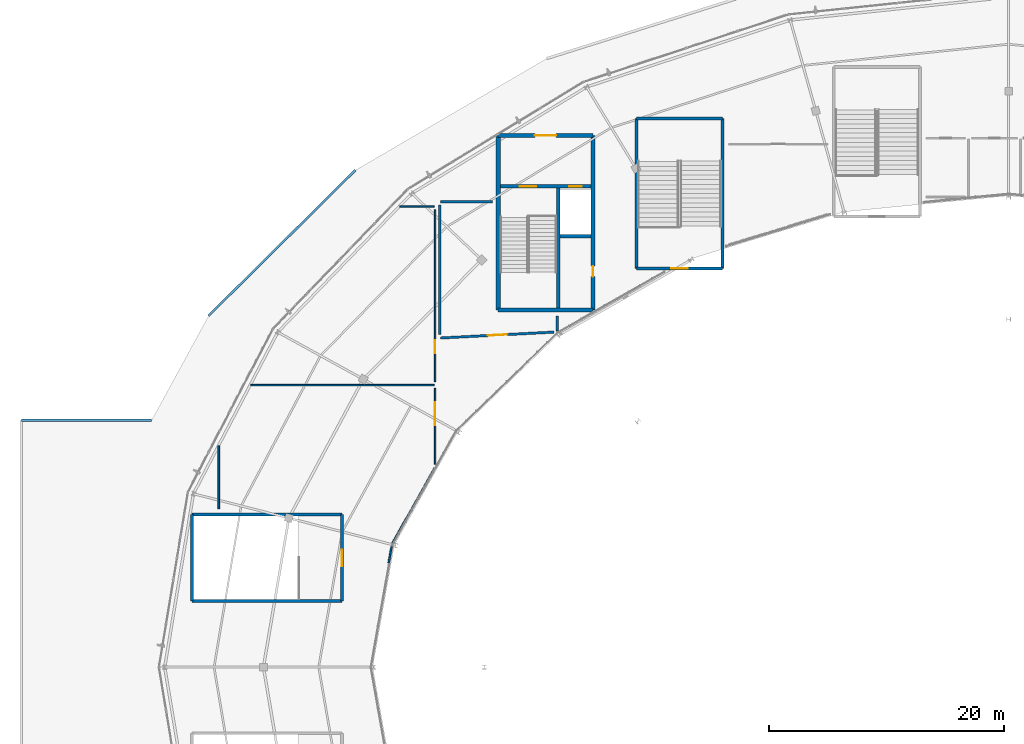
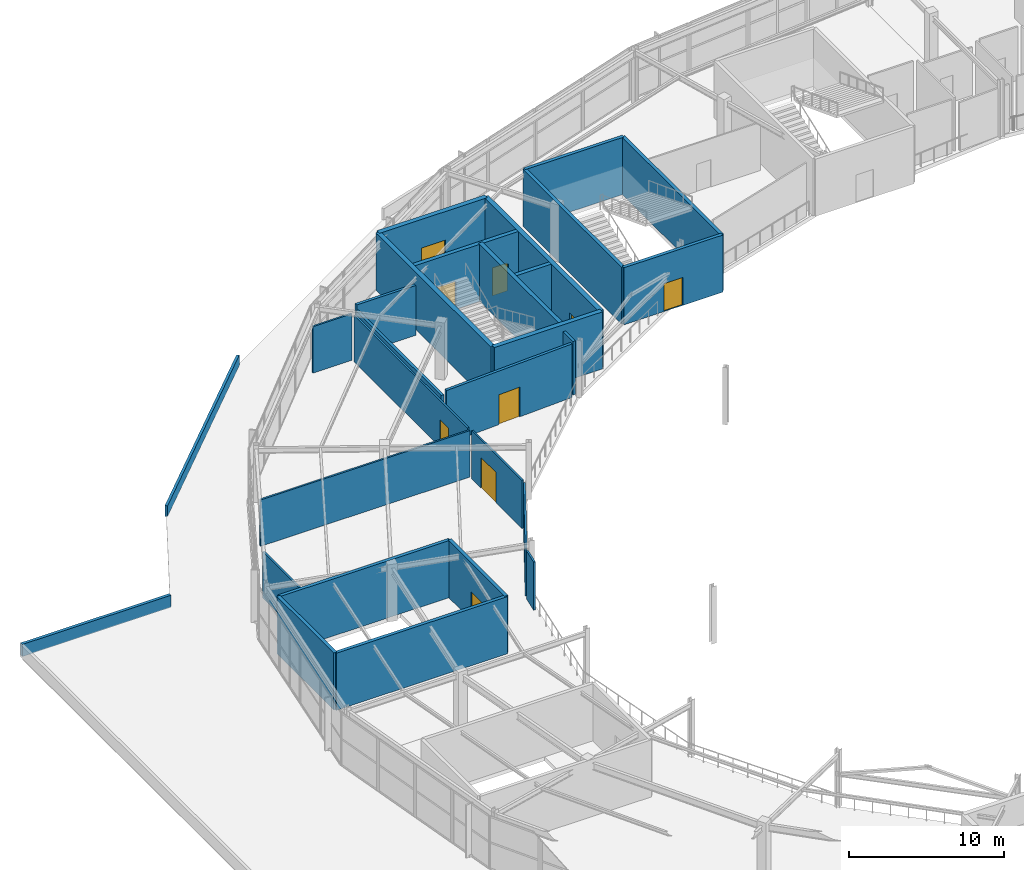
# One storey, part 107 of 126: 28 walls, 9 doors, 9 openings.
"""IFC4 building model written with IfcOpenShell, lengths in metres."""

from ifc_helpers import new_model, si_unit, direction, frame, frame_2d, origin, place, context, subcontext, project, spatial, rectangle, extrude, material, layer, layer_set, type_object, element, fill, save


model = new_model("IFC4")

# Units and contexts
model_context = context("Model", 3, precision=1e-05, world=origin(), true_north=direction((0.0, 1.0)))
body_context = subcontext(model_context, "Body", "Model", "MODEL_VIEW")
ifc_project = project(units=[si_unit("LENGTHUNIT", "METRE"), si_unit("AREAUNIT", "SQUARE_METRE"), si_unit("VOLUMEUNIT", "CUBIC_METRE"), si_unit("PLANEANGLEUNIT", "RADIAN"), si_unit("MASSUNIT", "GRAM", prefix="KILO")], contexts=[model_context])

# Site, building, storey
site_placement = place(None, origin())
site = spatial("IfcSite", under=ifc_project, at=site_placement, CompositionType="ELEMENT")
building_placement = place(site_placement, origin())
building = spatial("IfcBuilding", under=site, at=building_placement, Name="Kalgoora Escarpment Arena", CompositionType="ELEMENT")
storey_placement = place(building_placement, frame((0.0, 0.0, 18.89990234375)))
storey = spatial("IfcBuildingStorey", under=building, at=storey_placement, Name="L04", CompositionType="ELEMENT", Elevation=18.89990234375)

# Wall
ifc_material_1 = material(Name="Concrete N50 (fc' 50 MPa)", Category="concrete")
ifc_layer_1 = layer(ifc_material_1, 0.35009765625)
ifc_layer_set_1 = layer_set([ifc_layer_1], Name="WAL-CORE-350")
wall_type_1 = type_object("IfcWallType", Name="WAL-CORE-350", PredefinedType="SHEAR", material=ifc_layer_set_1)
wall_1_placement = place(storey_placement, frame((48.97509765625, 94.375, 0.0), z_axis=(0.0, 0.0, 1.0), x_axis=(1.0, 0.0, 0.0)))
element("IfcWall", 1, at=wall_1_placement, inside=storey, type_object=wall_type_1, Name="Core C3 L04 south shear wall", PredefinedType="SHEAR", context=body_context, shape_type="SweptSolid", body=[
    extrude(rectangle(XDim=8.0498046875, YDim=0.35009765625, at=frame_2d((4.02490234375, 0.0))), origin(), (0.0, 0.0, 1.0), 4.5),
])

# Wall, opening, door
wall_2_placement = place(storey_placement, frame((48.97509765625, 109.22509765625, 0.0), z_axis=(0.0, 0.0, 1.0), x_axis=(1.0, 0.0, 0.0)))
wall_2 = element("IfcWall", 2, at=wall_2_placement, inside=storey, type_object=wall_type_1, Name="Core C3 L04 north lobby wall", PredefinedType="SHEAR", context=body_context, shape_type="SweptSolid", body=[
    extrude(rectangle(XDim=8.0498046875, YDim=0.35009765625, at=frame_2d((4.02490234375, 0.0))), origin(), (0.0, 0.0, 1.0), 4.5),
])
opening_1_placement = place(wall_2_placement, frame((3.125, 0.0, 0.0)))
opening_1 = element("IfcOpeningElement", 3, at=opening_1_placement, cuts=wall_2, Name="Opening FD-C3L", PredefinedType="OPENING", context=body_context, shape_type="SweptSolid", body=[
    extrude(rectangle(XDim=1.800048828125, YDim=2.25, at=frame_2d((0.89990234375, 1.125))), frame((0.0, 0.18505859375, 0.0), z_axis=(0.0, -1.0, 0.0), x_axis=(1.0, 0.0, 0.0)), (0.0, 0.0, 1.0), 0.3701171875),
])
ifc_material_2 = material(Name="Double fire-rated smoke-seal lobby door")
door_type_1 = type_object("IfcDoorType", Name="DR-LOBBY-1800", OperationType="NOTDEFINED", PredefinedType="DOOR", material=ifc_material_2)
door_1_placement = place(opening_1_placement, origin())
door_1 = element("IfcDoor", 4, at=door_1_placement, inside=storey, type_object=door_type_1, Name="Core C3 L04 smoke-lobby fire door", OperationType="DOUBLE_DOOR_SINGLE_SWING", OverallHeight=2.25, OverallWidth=1.800048828125, PredefinedType="DOOR", context=body_context, shape_type="SweptSolid", body=[
    extrude(rectangle(XDim=1.800048828125, YDim=2.25, at=frame_2d((0.89990234375, 1.125))), frame((0.0, 0.02490234375, 0.0), z_axis=(0.0, -1.0, 0.0), x_axis=(1.0, 0.0, 0.0)), (0.0, 0.0, 1.0), 0.050048828125),
])
fill(opening_1, door_1)

# Wall
wall_3_placement = place(storey_placement, frame((48.97509765625, 94.375, 0.0), z_axis=(0.0, 0.0, 1.0), x_axis=(0.0, 1.0, 0.0)))
element("IfcWall", 5, at=wall_3_placement, inside=storey, type_object=wall_type_1, Name="Core C3 L04 west shear wall", PredefinedType="SHEAR", context=body_context, shape_type="SweptSolid", body=[
    extrude(rectangle(XDim=14.85009765625, YDim=0.35009765625, at=frame_2d((7.425048828125, 0.0))), origin(), (0.0, 0.0, 1.0), 4.5),
])

# Wall, opening, door
wall_4_placement = place(storey_placement, frame((57.02490234375, 94.375, 0.0), z_axis=(0.0, 0.0, 1.0), x_axis=(0.0, 1.0, 0.0)))
wall_4 = element("IfcWall", 6, at=wall_4_placement, inside=storey, type_object=wall_type_1, Name="Core C3 L04 east shear wall", PredefinedType="SHEAR", context=body_context, shape_type="SweptSolid", body=[
    extrude(rectangle(XDim=14.85009765625, YDim=0.35009765625, at=frame_2d((7.425048828125, 0.0))), origin(), (0.0, 0.0, 1.0), 4.5),
])
opening_2_placement = place(wall_4_placement, frame((2.85498046875, 0.0, 0.0)))
opening_2 = element("IfcOpeningElement", 7, at=opening_2_placement, cuts=wall_4, Name="Opening FD-C3R", PredefinedType="OPENING", context=body_context, shape_type="SweptSolid", body=[
    extrude(rectangle(XDim=0.89990234375, YDim=2.10009765625, at=frame_2d((0.449951171875, 1.050048828125))), frame((0.0, 0.18505859375, 0.0), z_axis=(0.0, -1.0, 0.0), x_axis=(1.0, 0.0, 0.0)), (0.0, 0.0, 1.0), 0.3701171875),
])
ifc_material_3 = material(Name="Fire-rated steel riser access door", Category="steel")
door_type_2 = type_object("IfcDoorType", Name="DR-RISER-0900", OperationType="NOTDEFINED", PredefinedType="DOOR", material=ifc_material_3)
door_2_placement = place(opening_2_placement, origin())
door_2 = element("IfcDoor", 8, at=door_2_placement, inside=storey, type_object=door_type_2, Name="Core C3 L04 riser cupboard access door", OperationType="SINGLE_SWING_RIGHT", OverallHeight=2.10009765625, OverallWidth=0.89990234375, PredefinedType="DOOR", context=body_context, shape_type="SweptSolid", body=[
    extrude(rectangle(XDim=0.89990234375, YDim=2.10009765625, at=frame_2d((0.449951171875, 1.050048828125))), frame((0.0, 0.02490234375, 0.0), z_axis=(0.0, -1.0, 0.0), x_axis=(1.0, 0.0, 0.0)), (0.0, 0.0, 1.0), 0.050048828125),
])
fill(opening_2, door_2)

# Walls
ifc_material_4 = material(Name="Hospitality acoustic drywall partition", Category="gypsum")
ifc_layer_2 = layer(ifc_material_4, 0.135009765625)
ifc_layer_set_2 = layer_set([ifc_layer_2], Name="WAL-DIN-135")
wall_type_2 = type_object("IfcWallType", Name="WAL-DIN-135", PredefinedType="PARTITIONING", material=ifc_layer_set_2)
wall_5_placement = place(storey_placement, frame((43.56103515625, 80.9453125, 0.0), z_axis=(0.0, 0.0, 1.0), x_axis=(-0.487673828336, -0.87302590864, 0.0)))
element("IfcWall", 9, at=wall_5_placement, inside=storey, type_object=wall_type_2, Name="L04 VIP Sky Club Salon partition wall", PredefinedType="PARTITIONING", context=body_context, shape_type="SweptSolid", body=[
    extrude(rectangle(XDim=7.34423828125, YDim=0.135009765625, at=frame_2d((3.672119140625, 0.0))), origin(), (0.0, 0.0, 1.0), 3.7890625),
])
wall_6_placement = place(storey_placement, frame((39.90087890625, 74.244873046875, 0.0), z_axis=(0.0, 0.0, 1.0), x_axis=(-0.177956887827, -0.984038284862, 0.0)))
element("IfcWall", 10, at=wall_6_placement, inside=storey, type_object=wall_type_2, Name="L04 VIP Sky Club Salon partition wall", PredefinedType="PARTITIONING", context=body_context, shape_type="SweptSolid", body=[
    extrude(rectangle(XDim=1.388427734375, YDim=0.135009765625, at=frame_2d((0.6943359375, 0.0))), origin(), (0.0, 0.0, 1.0), 3.7890625),
])
wall_7_placement = place(storey_placement, frame((25.199951171875, 77.47509765625, 0.0), z_axis=(0.0, 0.0, 1.0), x_axis=(0.0, 1.0, 0.0)))
element("IfcWall", 11, at=wall_7_placement, inside=storey, type_object=wall_type_2, Name="L04 VIP Sky Club Salon partition wall", PredefinedType="PARTITIONING", context=body_context, shape_type="SweptSolid", body=[
    extrude(rectangle(XDim=5.367919921875, YDim=0.135009765625, at=frame_2d((2.68408203125, 0.0))), origin(), (0.0, 0.0, 1.0), 3.662109375),
])
wall_8_placement = place(storey_placement, frame((27.92333984375, 88.0, 0.0), z_axis=(0.0, 0.0, 1.0), x_axis=(1.0, 0.0, 0.0)))
element("IfcWall", 12, at=wall_8_placement, inside=storey, type_object=wall_type_2, Name="L04 VIP Sky Club Salon partition wall", PredefinedType="PARTITIONING", context=body_context, shape_type="SweptSolid", body=[
    extrude(rectangle(XDim=15.5966796875, YDim=0.135009765625, at=frame_2d((7.79833984375, 0.0))), origin(), (0.0, 0.0, 1.0), 3.662109375),
])

# Wall, opening, door
wall_9_placement = place(storey_placement, frame((43.60009765625, 87.715087890625, 0.0), z_axis=(0.0, 0.0, 1.0), x_axis=(0.0, -1.0, 0.0)))
wall_9 = element("IfcWall", 13, at=wall_9_placement, inside=storey, type_object=wall_type_2, Name="L04 VIP Sky Club Salon partition wall", PredefinedType="PARTITIONING", context=body_context, shape_type="SweptSolid", body=[
    extrude(rectangle(XDim=6.473388671875, YDim=0.135009765625, at=frame_2d((3.23681640625, 0.0))), origin(), (0.0, 0.0, 1.0), 3.7890625),
])
opening_3_placement = place(wall_9_placement, frame((1.176025390625, 0.0, 0.0)))
opening_3 = element("IfcOpeningElement", 14, at=opening_3_placement, cuts=wall_9, Name="Opening FD-I135", PredefinedType="OPENING", context=body_context, shape_type="SweptSolid", body=[
    extrude(rectangle(XDim=1.949951171875, YDim=2.39990234375, at=frame_2d((0.97509765625, 1.199951171875))), frame((0.0, 0.077392578125, 0.0), z_axis=(0.0, -1.0, 0.0), x_axis=(1.0, 0.0, 0.0)), (0.0, 0.0, 1.0), 0.155029296875),
])
ifc_material_5 = material(Name="Glazed champagne-framed hospitality double door")
door_type_3 = type_object("IfcDoorType", Name="DR-CLUB-1950", OperationType="NOTDEFINED", PredefinedType="DOOR", material=ifc_material_5)
door_3_placement = place(opening_3_placement, origin())
door_3 = element("IfcDoor", 15, at=door_3_placement, inside=storey, type_object=door_type_3, Name="VIP Sky Club Salon entrance door", OperationType="DOUBLE_DOOR_SINGLE_SWING", OverallHeight=2.39990234375, OverallWidth=1.949951171875, PredefinedType="DOOR", context=body_context, shape_type="SweptSolid", body=[
    extrude(rectangle(XDim=1.949951171875, YDim=2.39990234375, at=frame_2d((0.97509765625, 1.199951171875))), frame((0.0, 0.02490234375, 0.0), z_axis=(0.0, -1.0, 0.0), x_axis=(1.0, 0.0, 0.0)), (0.0, 0.0, 1.0), 0.050048828125),
])
fill(opening_3, door_3)

# Wall
wall_10_placement = place(storey_placement, frame((40.602294921875, 103.199951171875, 0.0), z_axis=(0.0, 0.0, 1.0), x_axis=(1.0, 0.0, 0.0)))
element("IfcWall", 16, at=wall_10_placement, inside=storey, type_object=wall_type_2, Name="L04 Directors Sunset Dining partition wall", PredefinedType="PARTITIONING", context=body_context, shape_type="SweptSolid", body=[
    extrude(rectangle(XDim=2.917724609375, YDim=0.135009765625, at=frame_2d((1.458984375, 0.0))), origin(), (0.0, 0.0, 1.0), 3.662109375),
])

# Wall, opening, door
wall_11_placement = place(storey_placement, frame((43.60009765625, 102.915283203125, 0.0), z_axis=(0.0, 0.0, 1.0), x_axis=(0.0, -1.0, 0.0)))
wall_11 = element("IfcWall", 17, at=wall_11_placement, inside=storey, type_object=wall_type_2, Name="L04 Directors Sunset Dining partition wall", PredefinedType="PARTITIONING", context=body_context, shape_type="SweptSolid", body=[
    extrude(rectangle(XDim=14.63037109375, YDim=0.135009765625, at=frame_2d((7.315185546875, 0.0))), origin(), (0.0, 0.0, 1.0), 3.662109375),
])
opening_4_placement = place(wall_11_placement, frame((11.111328125, 0.0, 0.0)))
opening_4 = element("IfcOpeningElement", 18, at=opening_4_placement, cuts=wall_11, Name="Opening FD-I136", PredefinedType="OPENING", context=body_context, shape_type="SweptSolid", body=[
    extrude(rectangle(XDim=1.080078125, YDim=2.14990234375, at=frame_2d((0.5400390625, 1.074951171875))), frame((0.0, 0.077392578125, 0.0), z_axis=(0.0, -1.0, 0.0), x_axis=(1.0, 0.0, 0.0)), (0.0, 0.0, 1.0), 0.155029296875),
])
ifc_material_6 = material(Name="Solid-core acoustic timber door", Category="wood")
door_type_4 = type_object("IfcDoorType", Name="DR-GEN-1080", OperationType="NOTDEFINED", PredefinedType="DOOR", material=ifc_material_6)
door_4_placement = place(opening_4_placement, origin())
door_4 = element("IfcDoor", 19, at=door_4_placement, inside=storey, type_object=door_type_4, Name="Directors Sunset Dining entrance door", OperationType="SINGLE_SWING_RIGHT", OverallHeight=2.14990234375, OverallWidth=1.080078125, PredefinedType="DOOR", context=body_context, shape_type="SweptSolid", body=[
    extrude(rectangle(XDim=1.080078125, YDim=2.14990234375, at=frame_2d((0.5400390625, 1.074951171875))), frame((0.0, 0.02490234375, 0.0), z_axis=(0.0, -1.0, 0.0), x_axis=(1.0, 0.0, 0.0)), (0.0, 0.0, 1.0), 0.050048828125),
])
fill(opening_4, door_4)

# Walls
ifc_material_7 = material(Name="Stepped ziggurat roof parapet Concrete N40 (fc' 40 MPa)", Category="concrete")
ifc_layer_3 = layer(ifc_material_7, 0.18505859375)
ifc_layer_set_3 = layer_set([ifc_layer_3], Name="WAL-PAR-185")
wall_type_3 = type_object("IfcWallType", Name="WAL-PAR-185", PredefinedType="PARAPET", material=ifc_layer_set_3)
wall_12_placement = place(storey_placement, frame((24.330322265625, 93.89990234375, 0.0), z_axis=(0.0, 0.0, 1.0), x_axis=(0.710112198636, 0.704088535164, 0.0)))
element("IfcWall", 20, at=wall_12_placement, inside=storey, type_object=wall_type_3, Name="L04 stepped ziggurat limestone parapet 010", PredefinedType="PARAPET", context=body_context, shape_type="SweptSolid", body=[
    extrude(rectangle(XDim=17.590087890625, YDim=0.18505859375, at=frame_2d((8.794921875, 0.0))), origin(), (0.0, 0.0, 1.0), 0.85009765625),
])
ifc_material_8 = material(Name="Precast limestone coping parapet Concrete N40 (fc' 40 MPa)", Category="masonry")
ifc_layer_4 = layer(ifc_material_8, 0.22509765625)
ifc_layer_set_4 = layer_set([ifc_layer_4], Name="WAL-PAR-225")
wall_type_4 = type_object("IfcWallType", Name="WAL-PAR-225", PredefinedType="PARAPET", material=ifc_layer_set_4)
wall_13_placement = place(storey_placement, frame((8.39990234375, 85.0, 0.0), z_axis=(0.0, 0.0, 1.0), x_axis=(1.0, 0.0, 0.0)))
element("IfcWall", 21, at=wall_13_placement, inside=storey, type_object=wall_type_4, Name="L04 stepped ziggurat limestone parapet 009", PredefinedType="PARAPET", context=body_context, shape_type="SweptSolid", body=[
    extrude(rectangle(XDim=11.0849609375, YDim=0.22509765625, at=frame_2d((5.54248046875, 0.0))), origin(), (0.0, 0.0, 1.0), 0.9501953125),
])
ifc_material_9 = material(Name="Acoustic masonry plant wall Concrete N40 (fc' 40 MPa)", Category="masonry")
ifc_layer_5 = layer(ifc_material_9, 0.205078125)
ifc_layer_set_5 = layer_set([ifc_layer_5], Name="WAL-PLANT-205")
wall_type_5 = type_object("IfcWallType", Name="WAL-PLANT-205", PredefinedType="SOLIDWALL", material=ifc_layer_set_5)
wall_14_placement = place(storey_placement, frame((44.080078125, 103.60009765625, 0.0), z_axis=(0.0, 0.0, 1.0), x_axis=(1.0, 0.0, 0.0)))
element("IfcWall", 22, at=wall_14_placement, inside=storey, type_object=wall_type_5, Name="L04 West Smoke Pressurisation Plant partition wall", PredefinedType="SOLIDWALL", context=body_context, shape_type="SweptSolid", body=[
    extrude(rectangle(XDim=4.39501953125, YDim=0.205078125, at=frame_2d((2.197509765625, 0.0))), origin(), (0.0, 0.0, 1.0), 3.939208984375),
])
wall_15_placement = place(storey_placement, frame((54.0, 93.875, 0.0), z_axis=(0.0, 0.0, 1.0), x_axis=(0.0, -1.0, 0.0)))
element("IfcWall", 23, at=wall_15_placement, inside=storey, type_object=wall_type_5, Name="L04 West Smoke Pressurisation Plant partition wall", PredefinedType="SOLIDWALL", context=body_context, shape_type="SweptSolid", body=[
    extrude(rectangle(XDim=1.275146484375, YDim=0.205078125, at=frame_2d((0.6376953125, 0.0))), origin(), (0.0, 0.0, 1.0), 4.22021484375),
])

# Wall, opening, door
wall_16_placement = place(storey_placement, frame((53.7197265625, 92.505126953125, 0.0), z_axis=(0.0, 0.0, 1.0), x_axis=(-0.998652335412, -0.051899065272, 0.0)))
wall_16 = element("IfcWall", 24, at=wall_16_placement, inside=storey, type_object=wall_type_5, Name="L04 West Smoke Pressurisation Plant partition wall", PredefinedType="SOLIDWALL", context=body_context, shape_type="SweptSolid", body=[
    extrude(rectangle(XDim=9.65283203125, YDim=0.205078125, at=frame_2d((4.826416015625, 0.0))), origin(), (0.0, 0.0, 1.0), 4.22021484375),
])
opening_5_placement = place(wall_16_placement, frame((4.026611328125, 0.0, 0.0)))
opening_5 = element("IfcOpeningElement", 25, at=opening_5_placement, cuts=wall_16, Name="Opening FD-I144", PredefinedType="OPENING", context=body_context, shape_type="SweptSolid", body=[
    extrude(rectangle(XDim=1.60009765625, YDim=2.35009765625, at=frame_2d((0.800048828125, 1.175048828125))), frame((0.0, 0.112548828125, 0.0), z_axis=(0.0, -1.0, 0.0), x_axis=(1.0, 0.0, 0.0)), (0.0, 0.0, 1.0), 0.22509765625),
])
ifc_material_10 = material(Name="Acoustic steel double plant room door", Category="steel")
door_type_5 = type_object("IfcDoorType", Name="DR-PLANT-1600", OperationType="NOTDEFINED", PredefinedType="DOOR", material=ifc_material_10)
door_5_placement = place(opening_5_placement, origin())
door_5 = element("IfcDoor", 26, at=door_5_placement, inside=storey, type_object=door_type_5, Name="West Smoke Pressurisation Plant entrance door", OperationType="DOUBLE_DOOR_SINGLE_SWING", OverallHeight=2.35009765625, OverallWidth=1.60009765625, PredefinedType="DOOR", context=body_context, shape_type="SweptSolid", body=[
    extrude(rectangle(XDim=1.60009765625, YDim=2.35009765625, at=frame_2d((0.800048828125, 1.175048828125))), frame((0.0, 0.02490234375, 0.0), z_axis=(0.0, -1.0, 0.0), x_axis=(1.0, 0.0, 0.0)), (0.0, 0.0, 1.0), 0.050048828125),
])
fill(opening_5, door_5)

# Wall
wall_17_placement = place(storey_placement, frame((44.0, 92.2890625, 0.0), z_axis=(0.0, 0.0, 1.0), x_axis=(0.0, 1.0, 0.0)))
element("IfcWall", 27, at=wall_17_placement, inside=storey, type_object=wall_type_5, Name="L04 West Smoke Pressurisation Plant partition wall", PredefinedType="SOLIDWALL", context=body_context, shape_type="SweptSolid", body=[
    extrude(rectangle(XDim=11.026123046875, YDim=0.205078125, at=frame_2d((5.51318359375, 0.0))), origin(), (0.0, 0.0, 1.0), 3.662109375),
])

# Wall, openings, doors
ifc_material_11 = material(Name="Concrete N50 (fc' 50 MPa)", Category="concrete")
ifc_layer_6 = layer(ifc_material_11, 0.300048828125)
ifc_layer_set_6 = layer_set([ifc_layer_6], Name="WAL-SHAFT-300")
wall_type_6 = type_object("IfcWallType", Name="WAL-SHAFT-300", PredefinedType="SHEAR", material=ifc_layer_set_6)
wall_18_placement = place(storey_placement, frame((49.14990234375, 104.89990234375, 0.0), z_axis=(0.0, 0.0, 1.0), x_axis=(1.0, 0.0, 0.0)))
wall_18 = element("IfcWall", 28, at=wall_18_placement, inside=storey, type_object=wall_type_6, Name="Core C3 L04 lobby shaft wall", PredefinedType="SHEAR", context=body_context, shape_type="SweptSolid", body=[
    extrude(rectangle(XDim=7.7001953125, YDim=0.300048828125, at=frame_2d((3.85009765625, 0.0))), origin(), (0.0, 0.0, 1.0), 4.5),
])
opening_6_placement = place(wall_18_placement, frame((1.64990234375, 0.0, 0.0)))
opening_6 = element("IfcOpeningElement", 29, at=opening_6_placement, cuts=wall_18, Name="Opening FD-ST03", PredefinedType="OPENING", context=body_context, shape_type="SweptSolid", body=[
    extrude(rectangle(XDim=1.39990234375, YDim=2.199951171875, at=frame_2d((0.699951171875, 1.10009765625))), frame((0.0, 0.159912109375, 0.0), z_axis=(0.0, -1.0, 0.0), x_axis=(1.0, 0.0, 0.0)), (0.0, 0.0, 1.0), 0.320068359375),
])
opening_7_placement = place(wall_18_placement, frame((5.85009765625, 0.0, 0.0)))
opening_7 = element("IfcOpeningElement", 30, at=opening_7_placement, cuts=wall_18, Name="Opening LD-PL1", PredefinedType="OPENING", context=body_context, shape_type="SweptSolid", body=[
    extrude(rectangle(XDim=1.10009765625, YDim=2.199951171875, at=frame_2d((0.550048828125, 1.10009765625))), frame((0.0, 0.159912109375, 0.0), z_axis=(0.0, -1.0, 0.0), x_axis=(1.0, 0.0, 0.0)), (0.0, 0.0, 1.0), 0.320068359375),
])
ifc_material_12 = material(Name="Brushed stainless steel sliding lift landing door", Category="steel")
door_type_6 = type_object("IfcDoorType", Name="DR-LD-PL1", OperationType="SLIDING_TO_LEFT", PredefinedType="DOOR", material=ifc_material_12)
door_6_placement = place(opening_7_placement, origin())
door_6 = element("IfcDoor", 31, at=door_6_placement, inside=storey, type_object=door_type_6, Name="Lift PL1 L04 sliding landing door", OperationType="SLIDING_TO_LEFT", OverallHeight=2.199951171875, OverallWidth=1.10009765625, PredefinedType="DOOR", context=body_context, shape_type="SweptSolid", body=[
    extrude(rectangle(XDim=1.10009765625, YDim=2.199951171875, at=frame_2d((0.550048828125, 1.10009765625))), frame((0.0, 0.02490234375, 0.0), z_axis=(0.0, -1.0, 0.0), x_axis=(1.0, 0.0, 0.0)), (0.0, 0.0, 1.0), 0.050048828125),
])
fill(opening_7, door_6)
ifc_material_13 = material(Name="Fire-rated steel stair leaf with vision panel", Category="steel")
door_type_7 = type_object("IfcDoorType", Name="DR-STAIR-1400", OperationType="NOTDEFINED", PredefinedType="DOOR", material=ifc_material_13)
door_7_placement = place(opening_6_placement, origin())
door_7 = element("IfcDoor", 32, at=door_7_placement, inside=storey, type_object=door_type_7, Name="Fire stair ST03 L04 fire door", OperationType="SINGLE_SWING_LEFT", OverallHeight=2.199951171875, OverallWidth=1.39990234375, PredefinedType="DOOR", context=body_context, shape_type="SweptSolid", body=[
    extrude(rectangle(XDim=1.39990234375, YDim=2.199951171875, at=frame_2d((0.699951171875, 1.10009765625))), frame((0.0, 0.02490234375, 0.0), z_axis=(0.0, -1.0, 0.0), x_axis=(1.0, 0.0, 0.0)), (0.0, 0.0, 1.0), 0.050048828125),
])
fill(opening_6, door_7)

# Walls
wall_19_placement = place(storey_placement, frame((54.10009765625, 94.550048828125, 0.0), z_axis=(0.0, 0.0, 1.0), x_axis=(0.0, 1.0, 0.0)))
element("IfcWall", 33, at=wall_19_placement, inside=storey, type_object=wall_type_6, Name="Core C3 L04 stair-lift spine wall", PredefinedType="SHEAR", context=body_context, shape_type="SweptSolid", body=[
    extrude(rectangle(XDim=10.349853515625, YDim=0.300048828125, at=frame_2d((5.1748046875, 0.0))), origin(), (0.0, 0.0, 1.0), 4.5),
])
wall_20_placement = place(storey_placement, frame((54.25, 100.64990234375, 0.0), z_axis=(0.0, 0.0, 1.0), x_axis=(1.0, 0.0, 0.0)))
element("IfcWall", 34, at=wall_20_placement, inside=storey, type_object=wall_type_6, Name="Core C3 L04 lift-riser divider wall", PredefinedType="SHEAR", context=body_context, shape_type="SweptSolid", body=[
    extrude(rectangle(XDim=2.60009765625, YDim=0.300048828125, at=frame_2d((1.300048828125, 0.0))), origin(), (0.0, 0.0, 1.0), 4.5),
])

# Wall, opening, door
ifc_material_14 = material(Name="Concrete N50 (fc' 50 MPa)", Category="concrete")
ifc_layer_7 = layer(ifc_material_14, 0.25)
ifc_layer_set_7 = layer_set([ifc_layer_7], Name="WAL-STAIR-250")
wall_type_7 = type_object("IfcWallType", Name="WAL-STAIR-250", PredefinedType="SHEAR", material=ifc_layer_set_7)
wall_21_placement = place(storey_placement, frame((60.72509765625, 97.925048828125, 0.0), z_axis=(0.0, 0.0, 1.0), x_axis=(1.0, 0.0, 0.0)))
wall_21 = element("IfcWall", 35, at=wall_21_placement, inside=storey, type_object=wall_type_7, Name="Exit stair ST09 L04 south wall", PredefinedType="SHEAR", context=body_context, shape_type="SweptSolid", body=[
    extrude(rectangle(XDim=7.349853515625, YDim=0.25, at=frame_2d((3.6748046875, 0.0))), origin(), (0.0, 0.0, 1.0), 4.5),
])
opening_8_placement = place(wall_21_placement, frame((2.97509765625, 0.0, 0.0)))
opening_8 = element("IfcOpeningElement", 36, at=opening_8_placement, cuts=wall_21, Name="Opening FD-ST09", PredefinedType="OPENING", context=body_context, shape_type="SweptSolid", body=[
    extrude(rectangle(XDim=1.39990234375, YDim=2.199951171875, at=frame_2d((0.699951171875, 1.10009765625))), frame((0.0, 0.135009765625, 0.0), z_axis=(0.0, -1.0, 0.0), x_axis=(1.0, 0.0, 0.0)), (0.0, 0.0, 1.0), 0.27001953125),
])
door_8_placement = place(opening_8_placement, origin())
door_8 = element("IfcDoor", 37, at=door_8_placement, inside=storey, type_object=door_type_7, Name="Fire-isolated stair ST09 L04 egress door", OperationType="SINGLE_SWING_LEFT", OverallHeight=2.199951171875, OverallWidth=1.39990234375, PredefinedType="DOOR", context=body_context, shape_type="SweptSolid", body=[
    extrude(rectangle(XDim=1.39990234375, YDim=2.199951171875, at=frame_2d((0.699951171875, 1.10009765625))), frame((0.0, 0.02490234375, 0.0), z_axis=(0.0, -1.0, 0.0), x_axis=(1.0, 0.0, 0.0)), (0.0, 0.0, 1.0), 0.050048828125),
])
fill(opening_8, door_8)

# Walls
wall_22_placement = place(storey_placement, frame((60.72509765625, 110.675048828125, 0.0), z_axis=(0.0, 0.0, 1.0), x_axis=(1.0, 0.0, 0.0)))
element("IfcWall", 38, at=wall_22_placement, inside=storey, type_object=wall_type_7, Name="Exit stair ST09 L04 north wall", PredefinedType="SHEAR", context=body_context, shape_type="SweptSolid", body=[
    extrude(rectangle(XDim=7.349853515625, YDim=0.25, at=frame_2d((3.6748046875, 0.0))), origin(), (0.0, 0.0, 1.0), 4.5),
])
for number, where, z_axis, x_axis, name in (
    (39, (60.72509765625, 97.925048828125, 0.0), (0.0, 0.0, 1.0), (0.0, 1.0, 0.0), "Exit stair ST09 L04 west wall"),
    (40, (68.074951171875, 97.925048828125, 0.0), (0.0, 0.0, 1.0), (0.0, 1.0, 0.0), "Exit stair ST09 L04 east wall"),
    (41, (22.925048828125, 69.625, 0.0), (0.0, 0.0, 1.0), (1.0, 0.0, 0.0), "Exit stair ST17 L04 south wall"),
    (42, (22.925048828125, 76.97509765625, 0.0), (0.0, 0.0, 1.0), (1.0, 0.0, 0.0), "Exit stair ST17 L04 north wall"),
):
    element("IfcWall", number, at=place(storey_placement, frame(where, z_axis=z_axis, x_axis=x_axis)), inside=storey, type_object=wall_type_7, Name=name, PredefinedType="SHEAR", context=body_context, shape_type="SweptSolid", body=[
        extrude(rectangle(XDim=12.75, YDim=0.25, at=frame_2d((6.375, 0.0))), origin(), (0.0, 0.0, 1.0), 4.5),
    ])
wall_23_placement = place(storey_placement, frame((22.925048828125, 69.625, 0.0), z_axis=(0.0, 0.0, 1.0), x_axis=(0.0, 1.0, 0.0)))
element("IfcWall", 43, at=wall_23_placement, inside=storey, type_object=wall_type_7, Name="Exit stair ST17 L04 west wall", PredefinedType="SHEAR", context=body_context, shape_type="SweptSolid", body=[
    extrude(rectangle(XDim=7.35009765625, YDim=0.25, at=frame_2d((3.675048828125, 0.0))), origin(), (0.0, 0.0, 1.0), 4.5),
])

# Wall, opening, door
wall_24_placement = place(storey_placement, frame((35.675048828125, 69.625, 0.0), z_axis=(0.0, 0.0, 1.0), x_axis=(0.0, 1.0, 0.0)))
wall_24 = element("IfcWall", 44, at=wall_24_placement, inside=storey, type_object=wall_type_7, Name="Exit stair ST17 L04 east wall", PredefinedType="SHEAR", context=body_context, shape_type="SweptSolid", body=[
    extrude(rectangle(XDim=7.35009765625, YDim=0.25, at=frame_2d((3.675048828125, 0.0))), origin(), (0.0, 0.0, 1.0), 4.5),
])
opening_9_placement = place(wall_24_placement, frame((2.97509765625, 0.0, 0.0)))
opening_9 = element("IfcOpeningElement", 45, at=opening_9_placement, cuts=wall_24, Name="Opening FD-ST17", PredefinedType="OPENING", context=body_context, shape_type="SweptSolid", body=[
    extrude(rectangle(XDim=1.39990234375, YDim=2.199951171875, at=frame_2d((0.699951171875, 1.10009765625))), frame((0.0, 0.135009765625, 0.0), z_axis=(0.0, -1.0, 0.0), x_axis=(1.0, 0.0, 0.0)), (0.0, 0.0, 1.0), 0.27001953125),
])
door_9_placement = place(opening_9_placement, origin())
door_9 = element("IfcDoor", 46, at=door_9_placement, inside=storey, type_object=door_type_7, Name="Fire-isolated stair ST17 L04 egress door", OperationType="SINGLE_SWING_RIGHT", OverallHeight=2.199951171875, OverallWidth=1.39990234375, PredefinedType="DOOR", context=body_context, shape_type="SweptSolid", body=[
    extrude(rectangle(XDim=1.39990234375, YDim=2.199951171875, at=frame_2d((0.699951171875, 1.10009765625))), frame((0.0, 0.02490234375, 0.0), z_axis=(0.0, -1.0, 0.0), x_axis=(1.0, 0.0, 0.0)), (0.0, 0.0, 1.0), 0.050048828125),
])
fill(opening_9, door_9)

save(model, "model.ifc")
